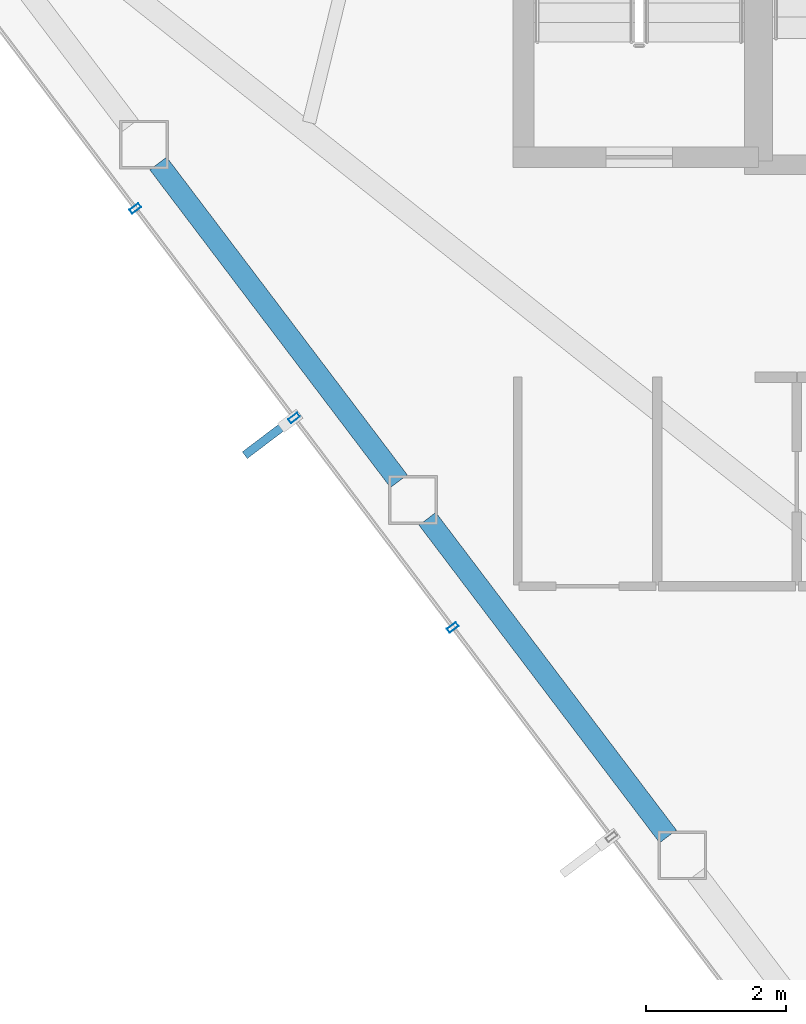
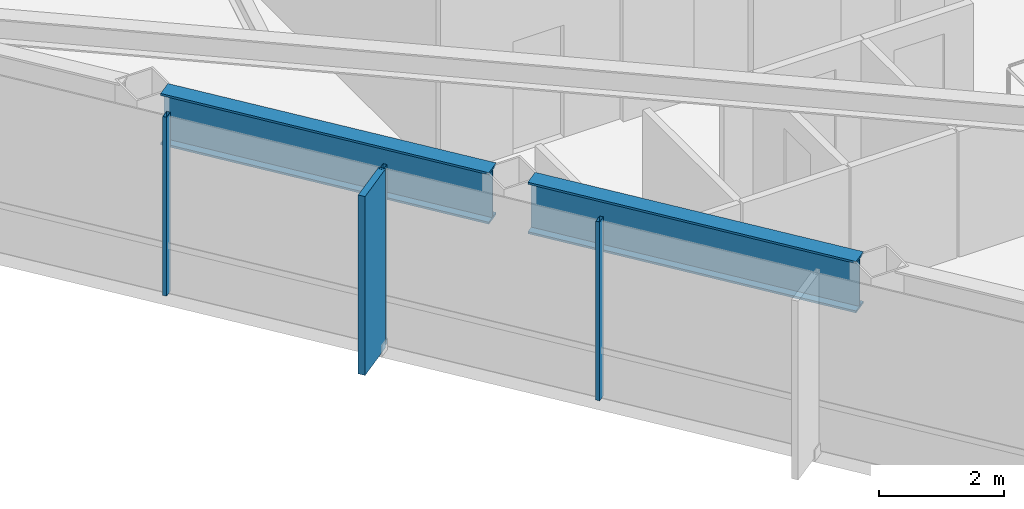
# One storey, part 4 of 27: 4 members, 2 beams, 1 element without a shape of its own.
"""IFC4 building model written with IfcOpenShell, lengths in metres."""

from ifc_helpers import new_model, si_unit, direction, frame, origin, origin_2d, place, context, subcontext, project, spatial, rectangle, hollow_rectangle, i_section, extrude, material, layer, layer_set, material_profile, profile_set, type_object, element, aggregate, save


model = new_model("IFC4")

# Units and contexts
model_context = context("Model", 3, precision=1e-05, world=origin(), true_north=direction((0.0, 1.0)))
body_context = subcontext(model_context, "Body", "Model", "MODEL_VIEW")
ifc_project = project(units=[si_unit("LENGTHUNIT", "METRE"), si_unit("AREAUNIT", "SQUARE_METRE"), si_unit("VOLUMEUNIT", "CUBIC_METRE"), si_unit("PLANEANGLEUNIT", "RADIAN"), si_unit("MASSUNIT", "GRAM", prefix="KILO")], contexts=[model_context])

# Site, building, storey
site_placement = place(None, origin())
site = spatial("IfcSite", under=ifc_project, at=site_placement, CompositionType="ELEMENT")
building_placement = place(site_placement, origin())
building = spatial("IfcBuilding", under=site, at=building_placement, Name="Zarrinselat Tower", CompositionType="ELEMENT")
storey_placement = place(building_placement, frame((0.0, 0.0, 175.780029296875)))
storey = spatial("IfcBuildingStorey", under=building, at=storey_placement, Name="L43", CompositionType="ELEMENT", Elevation=175.780029296875)

# Beams
ifc_material_1 = material(Name="Steel S460M", Category="steel")
ifc_material_profile_1 = material_profile(ifc_material_1, i_section(OverallWidth=0.302001953125, OverallDepth=1.008056640625, WebThickness=0.02099609375, FlangeThickness=0.0400390625, at=origin_2d()), Name="HEM 1000")
ifc_profile_set_1 = profile_set([ifc_material_profile_1], Name="Steel S460M")
beam_type = type_object("IfcBeamType", Name="BM-HEM1000", PredefinedType="BEAM", material=ifc_profile_set_1)
for number, where, z_axis, x_axis, name in (
    (1, (19.9970703125, 33.210693359375, 2.995849609375), (0.603850281266, -0.797097759259, 0.0), (0.797097759259, 0.603850281266, 0.0), "L43 Perimeter Spandrel Girder SP07"),
    (2, (23.854248046875, 28.119140625, 2.995849609375), (0.603850281266, -0.797097759259, 0.0), (0.797097759259, 0.603850281266, 0.0), "L43 Perimeter Spandrel Girder SP08"),
):
    element("IfcBeam", number, at=place(storey_placement, frame(where, z_axis=z_axis, x_axis=x_axis)), inside=storey, type_object=beam_type, Name=name, PredefinedType="BEAM", context=body_context, shape_type="SweptSolid", body=[
        extrude(i_section(OverallWidth=0.302001953125, OverallDepth=1.008056640625, WebThickness=0.02099609375, FlangeThickness=0.0400390625, at=origin_2d()), origin(), (0.0, 0.0, 1.0), 5.711669921875),
    ])

# Curtain wall, members
ifc_material_2 = material(Name="Extruded Aluminium Alloy EN AW-6063 T6", Category="aluminium")
ifc_layer = layer(ifc_material_2, 0.175048828125)
ifc_layer_set = layer_set([ifc_layer], Name="Extruded Aluminium Alloy EN AW-6063 T6")
curtain_wall_type = type_object("IfcCurtainWallType", Name="CWS-HTL", PredefinedType="NOTDEFINED", material=ifc_layer_set)
curtain_wall_placement = place(storey_placement, origin())
curtain_wall = element("IfcCurtainWall", 3, at=curtain_wall_placement, inside=storey, type_object=curtain_wall_type, Name="L43 Unitised Curtain Wall CW-L43-E03", PredefinedType="NOTDEFINED")
ifc_material_3 = material(Name="Extruded Aluminium Alloy EN AW-6063 T6", Category="aluminium")
ifc_material_profile_2 = material_profile(ifc_material_3, hollow_rectangle(XDim=0.070068359375, YDim=0.159912109375, WallThickness=0.00390625, at=origin_2d()), Name="RHS 160x70x4")
ifc_profile_set_2 = profile_set([ifc_material_profile_2], Name="Extruded Aluminium Alloy EN AW-6063 T6")
member_type_1 = type_object("IfcMemberType", Name="MEM-CW-MUL2", PredefinedType="MULLION", material=ifc_profile_set_2)
member_1_placement = place(storey_placement, frame((19.669189453125, 32.56689453125, 0.0), z_axis=(0.0, 0.0, 1.0), x_axis=(0.603857322892, -0.797092424748, 0.0)))
member_1 = element("IfcMember", 4, at=member_1_placement, type_object=member_type_1, Name="CW-L43-E03 Mullion 2", PredefinedType="MULLION", context=body_context, shape_type="SweptSolid", body=[
    extrude(hollow_rectangle(XDim=0.070068359375, YDim=0.159912109375, WallThickness=0.00390625, at=origin_2d()), origin(), (0.0, 0.0, 1.0), 3.5),
])
member_2_placement = place(storey_placement, frame((21.943603515625, 29.564697265625, 0.0), z_axis=(0.0, 0.0, 1.0), x_axis=(0.603857322892, -0.797092424748, 0.0)))
member_2 = element("IfcMember", 5, at=member_2_placement, type_object=member_type_1, Name="CW-L43-E03 Mullion 3", PredefinedType="MULLION", context=body_context, shape_type="SweptSolid", body=[
    extrude(hollow_rectangle(XDim=0.070068359375, YDim=0.159912109375, WallThickness=0.00390625, at=origin_2d()), origin(), (0.0, 0.0, 1.0), 3.5),
])
member_3_placement = place(storey_placement, frame((24.218017578125, 26.562255859375, 0.0), z_axis=(0.0, 0.0, 1.0), x_axis=(0.603857322892, -0.797092424748, 0.0)))
member_3 = element("IfcMember", 6, at=member_3_placement, type_object=member_type_1, Name="CW-L43-E03 Mullion 4", PredefinedType="MULLION", context=body_context, shape_type="SweptSolid", body=[
    extrude(hollow_rectangle(XDim=0.070068359375, YDim=0.159912109375, WallThickness=0.00390625, at=origin_2d()), origin(), (0.0, 0.0, 1.0), 3.5),
])
ifc_material_4 = material(Name="Honed Cream Travertine Stone", Category="masonry")
ifc_material_profile_3 = material_profile(ifc_material_4, rectangle(XDim=0.1201171875, YDim=0.85009765625, at=origin_2d()), Name="FIN 850x120")
ifc_profile_set_3 = profile_set([ifc_material_profile_3], Name="Honed Cream Travertine Stone")
member_type_2 = type_object("IfcMemberType", Name="MEM-STONE-FIN", PredefinedType="USERDEFINED", material=ifc_profile_set_3)
member_4_placement = place(storey_placement, frame((21.576904296875, 29.286865234375, 0.0), z_axis=(0.0, 0.0, 1.0), x_axis=(-0.603857322892, 0.797092424748, 0.0)))
member_4 = element("IfcMember", 7, at=member_4_placement, type_object=member_type_2, Name="L43 Stone Shading Fin CW-L43-E03-03", ObjectType="FIN", PredefinedType="USERDEFINED", context=body_context, shape_type="SweptSolid", body=[
    extrude(rectangle(XDim=0.1201171875, YDim=0.85009765625, at=origin_2d()), origin(), (0.0, 0.0, 1.0), 3.5),
])
aggregate(curtain_wall, [member_1, member_2, member_4, member_3])

save(model, "model.ifc")
